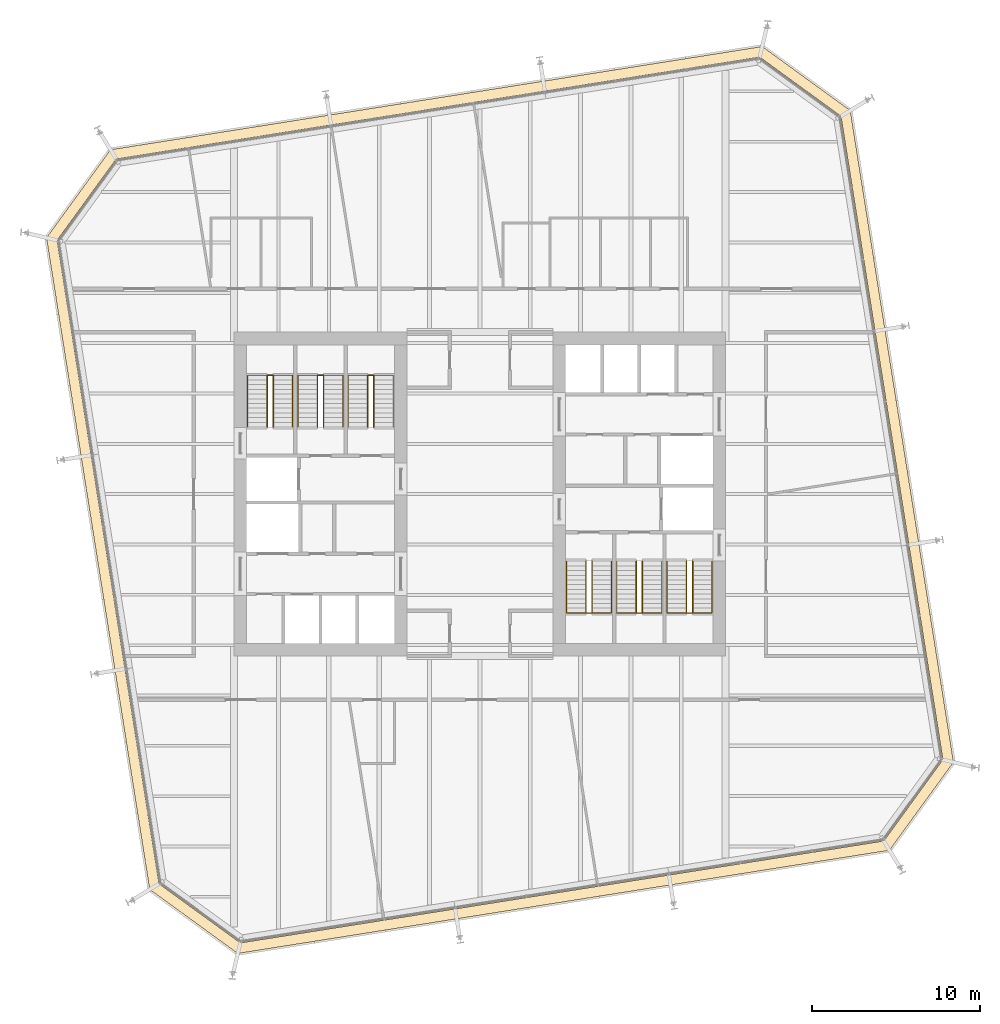
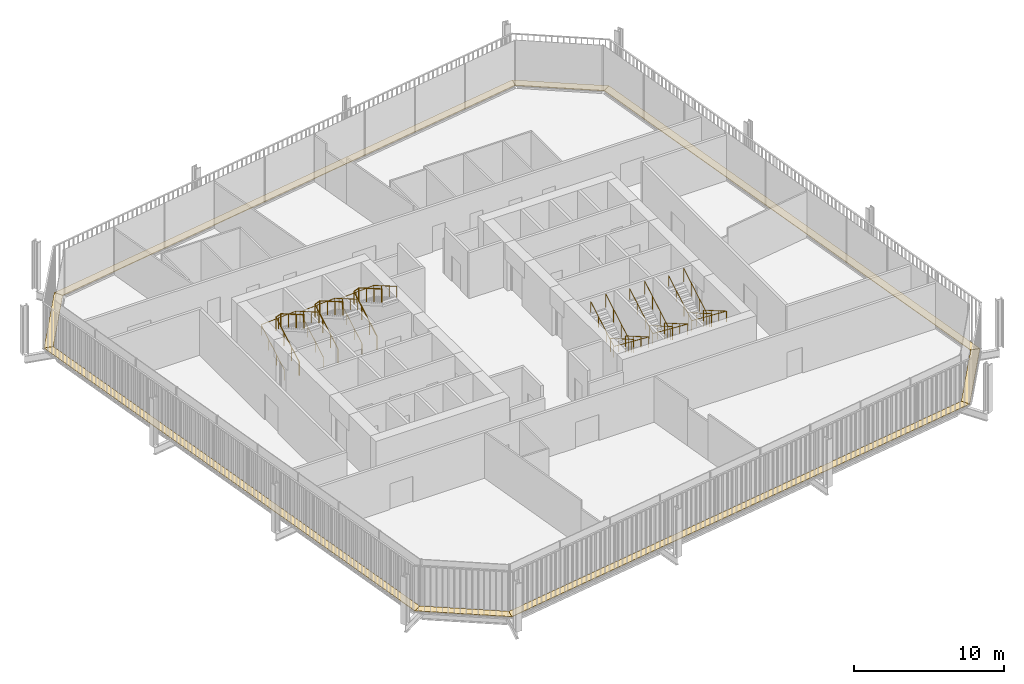
# One storey, part 21 of 21: 12 railings, 8 coverings.
"""IFC4 building model written with IfcOpenShell, lengths in metres."""

from ifc_helpers import new_model, si_unit, direction, frame, origin, origin_2d, place, context, subcontext, project, spatial, polyline, circle, outline, extrude, material, layer, layer_set, type_object, element, save


model = new_model("IFC4")

# Units and contexts
model_context = context("Model", 3, precision=1e-05, world=origin(), true_north=direction((0.0, 1.0)))
body_context = subcontext(model_context, "Body", "Model", "MODEL_VIEW")
ifc_project = project(units=[si_unit("LENGTHUNIT", "METRE"), si_unit("AREAUNIT", "SQUARE_METRE"), si_unit("VOLUMEUNIT", "CUBIC_METRE"), si_unit("PLANEANGLEUNIT", "RADIAN"), si_unit("MASSUNIT", "GRAM", prefix="KILO")], contexts=[model_context])

# Site, building, storey
site_placement = place(None, origin())
site = spatial("IfcSite", under=ifc_project, at=site_placement, CompositionType="ELEMENT")
building_placement = place(site_placement, origin())
building = spatial("IfcBuilding", under=site, at=building_placement, Name="Millrace Tower", CompositionType="ELEMENT")
storey_placement = place(building_placement, frame((0.0, 0.0, 183.89990234375)))
storey = spatial("IfcBuildingStorey", under=building, at=storey_placement, Name="L41", CompositionType="ELEMENT", Elevation=183.89990234375)

# Coverings
ifc_material_1 = material(Name="Steel ASTM A36", Category="steel")
ifc_layer = layer(ifc_material_1, 0.050048828125)
ifc_layer_set = layer_set([ifc_layer], Name="Steel ASTM A36")
covering_type = type_object("IfcCoveringType", Name="CAVITY CATWALK steel grating", PredefinedType="FLOORING", material=ifc_layer_set)
placement = place(storey_placement, frame((0.0, 0.0, 0.10009765625)))
element("IfcCovering", 1, at=placement, inside=storey, type_object=covering_type, Name="Cavity catwalk grating C-F01 L41 1", PredefinedType="FLOORING", context=body_context, shape_type="SweptSolid", body=[
    extrude(outline(polyline([(-19.67578125, -23.562255859375), (-14.425048828125, -27.376953125), (-14.2734375, -26.74560546875), (-19.1220703125, -23.222900390625), (-19.67578125, -23.562255859375)])), origin(), (0.0, 0.0, 1.0), 0.050048828125),
])
element("IfcCovering", 2, at=placement, inside=storey, type_object=covering_type, Name="Cavity catwalk grating C-F02 L41 1", PredefinedType="FLOORING", context=body_context, shape_type="SweptSolid", body=[
    extrude(outline(polyline([(-14.425048828125, -27.376953125), (24.412109375, -21.225830078125), (24.07275390625, -20.672119140625), (-14.2734375, -26.74560546875), (-14.425048828125, -27.376953125)])), origin(), (0.0, 0.0, 1.0), 0.050048828125),
])
element("IfcCovering", 3, at=placement, inside=storey, type_object=covering_type, Name="Cavity catwalk grating C-F03 L41 1", PredefinedType="FLOORING", context=body_context, shape_type="SweptSolid", body=[
    extrude(outline(polyline([(24.412109375, -21.225830078125), (28.22705078125, -15.97509765625), (27.595458984375, -15.823486328125), (24.07275390625, -20.672119140625), (24.412109375, -21.225830078125)])), origin(), (0.0, 0.0, 1.0), 0.050048828125),
])
element("IfcCovering", 4, at=placement, inside=storey, type_object=covering_type, Name="Cavity catwalk grating C-F04 L41 1", PredefinedType="FLOORING", context=body_context, shape_type="SweptSolid", body=[
    extrude(outline(polyline([(28.22705078125, -15.97509765625), (22.075927734375, 22.862060546875), (21.522216796875, 22.522705078125), (27.595458984375, -15.823486328125), (28.22705078125, -15.97509765625)])), origin(), (0.0, 0.0, 1.0), 0.050048828125),
])
element("IfcCovering", 5, at=placement, inside=storey, type_object=covering_type, Name="Cavity catwalk grating C-F05 L41 1", PredefinedType="FLOORING", context=body_context, shape_type="SweptSolid", body=[
    extrude(outline(polyline([(22.075927734375, 22.862060546875), (16.824951171875, 26.677001953125), (16.67333984375, 26.045654296875), (21.522216796875, 22.522705078125), (22.075927734375, 22.862060546875)])), origin(), (0.0, 0.0, 1.0), 0.050048828125),
])
element("IfcCovering", 6, at=placement, inside=storey, type_object=covering_type, Name="Cavity catwalk grating C-F06 L41 1", PredefinedType="FLOORING", context=body_context, shape_type="SweptSolid", body=[
    extrude(outline(polyline([(16.824951171875, 26.677001953125), (-22.01220703125, 20.52587890625), (-21.6728515625, 19.97216796875), (16.67333984375, 26.045654296875), (16.824951171875, 26.677001953125)])), origin(), (0.0, 0.0, 1.0), 0.050048828125),
])
element("IfcCovering", 7, at=placement, inside=storey, type_object=covering_type, Name="Cavity catwalk grating C-F07 L41 1", PredefinedType="FLOORING", context=body_context, shape_type="SweptSolid", body=[
    extrude(outline(polyline([(-22.01220703125, 20.52587890625), (-25.8271484375, 15.275146484375), (-25.195556640625, 15.12353515625), (-21.6728515625, 19.97216796875), (-22.01220703125, 20.52587890625)])), origin(), (0.0, 0.0, 1.0), 0.050048828125),
])
element("IfcCovering", 8, at=placement, inside=storey, type_object=covering_type, Name="Cavity catwalk grating C-F08 L41 1", PredefinedType="FLOORING", context=body_context, shape_type="SweptSolid", body=[
    extrude(outline(polyline([(-25.8271484375, 15.275146484375), (-19.67578125, -23.562255859375), (-19.1220703125, -23.222900390625), (-25.195556640625, 15.12353515625), (-25.8271484375, 15.275146484375)])), origin(), (0.0, 0.0, 1.0), 0.050048828125),
])

# Railings
ifc_material_2 = material(Name="Stainless steel ASTM A240 type 316", Category="steel")
railing_type_1 = type_object("IfcRailingType", Name="Stair guard 1100", PredefinedType="GUARDRAIL", material=ifc_material_2)
for number, where, name in (
    (9, (-12.679931640625, 4.0, 0.16259765625), "Stair guard 1 W L41"),
    (10, (-9.679931640625, 4.0, 0.16259765625), "Stair guard 2 W L41"),
    (11, (-6.679931640625, 4.0, 0.16259765625), "Stair guard 3 W L41"),
):
    element("IfcRailing", number, at=place(storey_placement, frame(where)), inside=storey, type_object=railing_type_1, Name=name, PredefinedType="GUARDRAIL", context=body_context, shape_type="SweptSolid", body=[
        extrude(circle(Radius=0.02392578125, at=origin_2d()), frame((0.0, 0.0, 1.076171875), z_axis=(0.0, 0.864890721111, 0.501960198159), x_axis=(-1.0, 0.0, 0.0)), (0.0, 0.0, 1.0), 3.561279296875),
        extrude(circle(Radius=0.02392578125, at=origin_2d()), frame((0.0, 3.080078125, 2.86376953125), z_axis=(0.91152767309, 0.0, 0.411238739895), x_axis=(0.0, 1.0, 0.0)), (0.0, 0.0, 1.0), 0.394775390625),
        extrude(circle(Radius=0.02392578125, at=origin_2d()), frame((0.35986328125, 3.080078125, 3.02587890625), z_axis=(0.0, -0.864890721111, 0.501960198159), x_axis=(1.0, 0.0, 0.0)), (0.0, 0.0, 1.0), 3.561279296875),
        extrude(circle(Radius=0.02099609375, at=origin_2d()), origin(), (0.0, 0.0, 1.0), 1.052001953125),
        extrude(circle(Radius=0.02099609375, at=origin_2d()), frame((0.0, 1.026611328125, 0.595947265625)), (0.0, 0.0, 1.0), 1.052001953125),
        extrude(circle(Radius=0.02099609375, at=origin_2d()), frame((0.0, 2.053466796875, 1.191650390625)), (0.0, 0.0, 1.0), 1.052001953125),
        extrude(circle(Radius=0.02099609375, at=origin_2d()), frame((0.0, 3.080078125, 1.78759765625)), (0.0, 0.0, 1.0), 1.052001953125),
        extrude(circle(Radius=0.02099609375, at=origin_2d()), frame((0.35986328125, 3.080078125, 1.949951171875)), (0.0, 0.0, 1.0), 1.052001953125),
        extrude(circle(Radius=0.02099609375, at=origin_2d()), frame((0.35986328125, 2.053466796875, 2.5458984375)), (0.0, 0.0, 1.0), 1.052001953125),
        extrude(circle(Radius=0.02099609375, at=origin_2d()), frame((0.35986328125, 1.026611328125, 3.1416015625)), (0.0, 0.0, 1.0), 1.052001953125),
        extrude(circle(Radius=0.02099609375, at=origin_2d()), frame((0.35986328125, 0.0, 3.737548828125)), (0.0, 0.0, 1.0), 1.052001953125),
    ])
for number, where, name in (
    (12, (12.679931640625, -4.0, 0.16259765625), "Stair guard 1 E L41"),
    (13, (9.679931640625, -4.0, 0.16259765625), "Stair guard 2 E L41"),
    (14, (6.679931640625, -4.0, 0.16259765625), "Stair guard 3 E L41"),
):
    element("IfcRailing", number, at=place(storey_placement, frame(where)), inside=storey, type_object=railing_type_1, Name=name, PredefinedType="GUARDRAIL", context=body_context, shape_type="SweptSolid", body=[
        extrude(circle(Radius=0.02392578125, at=origin_2d()), frame((0.0, 0.0, 1.076171875), z_axis=(0.0, -0.864890721111, 0.501960198159), x_axis=(1.0, 0.0, 0.0)), (0.0, 0.0, 1.0), 3.561279296875),
        extrude(circle(Radius=0.02392578125, at=origin_2d()), frame((0.0, -3.080078125, 2.86376953125), z_axis=(-0.91152767309, 0.0, 0.411238739895), x_axis=(0.0, -1.0, 0.0)), (0.0, 0.0, 1.0), 0.394775390625),
        extrude(circle(Radius=0.02392578125, at=origin_2d()), frame((-0.35986328125, -3.080078125, 3.02587890625), z_axis=(0.0, 0.864890721111, 0.501960198159), x_axis=(-1.0, 0.0, 0.0)), (0.0, 0.0, 1.0), 3.561279296875),
        extrude(circle(Radius=0.02099609375, at=origin_2d()), origin(), (0.0, 0.0, 1.0), 1.052001953125),
        extrude(circle(Radius=0.02099609375, at=origin_2d()), frame((0.0, -1.026611328125, 0.595947265625)), (0.0, 0.0, 1.0), 1.052001953125),
        extrude(circle(Radius=0.02099609375, at=origin_2d()), frame((0.0, -2.053466796875, 1.191650390625)), (0.0, 0.0, 1.0), 1.052001953125),
        extrude(circle(Radius=0.02099609375, at=origin_2d()), frame((0.0, -3.080078125, 1.78759765625)), (0.0, 0.0, 1.0), 1.052001953125),
        extrude(circle(Radius=0.02099609375, at=origin_2d()), frame((-0.35986328125, -3.080078125, 1.949951171875)), (0.0, 0.0, 1.0), 1.052001953125),
        extrude(circle(Radius=0.02099609375, at=origin_2d()), frame((-0.35986328125, -2.053466796875, 2.5458984375)), (0.0, 0.0, 1.0), 1.052001953125),
        extrude(circle(Radius=0.02099609375, at=origin_2d()), frame((-0.35986328125, -1.026611328125, 3.1416015625)), (0.0, 0.0, 1.0), 1.052001953125),
        extrude(circle(Radius=0.02099609375, at=origin_2d()), frame((-0.35986328125, 0.0, 3.737548828125)), (0.0, 0.0, 1.0), 1.052001953125),
    ])
ifc_material_3 = material(Name="Stainless steel ASTM A240 type 316", Category="steel")
railing_type_2 = type_object("IfcRailingType", Name="Stair handrail 900", PredefinedType="HANDRAIL", material=ifc_material_3)
railing_1_placement = place(storey_placement, frame((-13.840087890625, 4.0, 0.16259765625)))
element("IfcRailing", 15, at=railing_1_placement, inside=storey, type_object=railing_type_2, Name="Stair handrail 1 W L41", PredefinedType="HANDRAIL", context=body_context, shape_type="SweptSolid", body=[
    extrude(circle(Radius=0.02392578125, at=origin_2d()), frame((0.0, 0.0, 0.8759765625), z_axis=(0.0, 0.864890721111, 0.501960198159), x_axis=(-1.0, 0.0, 0.0)), (0.0, 0.0, 1.0), 3.561279296875),
    extrude(circle(Radius=0.02392578125, at=origin_2d()), frame((0.0, 3.080078125, 2.66357421875), z_axis=(0.998170326313, 0.0, 0.06046486309), x_axis=(0.0, 1.0, 0.0)), (0.0, 0.0, 1.0), 2.68505859375),
    extrude(circle(Radius=0.02392578125, at=origin_2d()), frame((2.68017578125, 3.080078125, 2.82568359375), z_axis=(0.0, -0.864890721111, 0.501960198159), x_axis=(1.0, 0.0, 0.0)), (0.0, 0.0, 1.0), 3.561279296875),
    extrude(circle(Radius=0.02099609375, at=origin_2d()), origin(), (0.0, 0.0, 1.0), 0.851806640625),
    extrude(circle(Radius=0.02099609375, at=origin_2d()), frame((0.0, 1.026611328125, 0.595947265625)), (0.0, 0.0, 1.0), 0.851806640625),
    extrude(circle(Radius=0.02099609375, at=origin_2d()), frame((0.0, 2.053466796875, 1.191650390625)), (0.0, 0.0, 1.0), 0.851806640625),
    extrude(circle(Radius=0.02099609375, at=origin_2d()), frame((0.0, 3.080078125, 1.78759765625)), (0.0, 0.0, 1.0), 0.851806640625),
    extrude(circle(Radius=0.02099609375, at=origin_2d()), frame((1.340087890625, 3.080078125, 1.86865234375)), (0.0, 0.0, 1.0), 0.851806640625),
    extrude(circle(Radius=0.02099609375, at=origin_2d()), frame((2.68017578125, 3.080078125, 1.949951171875)), (0.0, 0.0, 1.0), 0.851806640625),
    extrude(circle(Radius=0.02099609375, at=origin_2d()), frame((2.68017578125, 2.053466796875, 2.5458984375)), (0.0, 0.0, 1.0), 0.851806640625),
    extrude(circle(Radius=0.02099609375, at=origin_2d()), frame((2.68017578125, 1.026611328125, 3.1416015625)), (0.0, 0.0, 1.0), 0.851806640625),
    extrude(circle(Radius=0.02099609375, at=origin_2d()), frame((2.68017578125, 0.0, 3.737548828125)), (0.0, 0.0, 1.0), 0.851806640625),
])
railing_2_placement = place(storey_placement, frame((-10.840087890625, 4.0, 0.16259765625)))
element("IfcRailing", 16, at=railing_2_placement, inside=storey, type_object=railing_type_2, Name="Stair handrail 2 W L41", PredefinedType="HANDRAIL", context=body_context, shape_type="SweptSolid", body=[
    extrude(circle(Radius=0.02392578125, at=origin_2d()), frame((0.0, 0.0, 0.8759765625), z_axis=(0.0, 0.864890721111, 0.501960198159), x_axis=(-1.0, 0.0, 0.0)), (0.0, 0.0, 1.0), 3.561279296875),
    extrude(circle(Radius=0.02392578125, at=origin_2d()), frame((0.0, 3.080078125, 2.66357421875), z_axis=(0.998170326313, 0.0, 0.06046486309), x_axis=(0.0, 1.0, 0.0)), (0.0, 0.0, 1.0), 2.68505859375),
    extrude(circle(Radius=0.02392578125, at=origin_2d()), frame((2.68017578125, 3.080078125, 2.82568359375), z_axis=(0.0, -0.864890721111, 0.501960198159), x_axis=(1.0, 0.0, 0.0)), (0.0, 0.0, 1.0), 3.561279296875),
    extrude(circle(Radius=0.02099609375, at=origin_2d()), origin(), (0.0, 0.0, 1.0), 0.851806640625),
    extrude(circle(Radius=0.02099609375, at=origin_2d()), frame((0.0, 1.026611328125, 0.595947265625)), (0.0, 0.0, 1.0), 0.851806640625),
    extrude(circle(Radius=0.02099609375, at=origin_2d()), frame((0.0, 2.053466796875, 1.191650390625)), (0.0, 0.0, 1.0), 0.851806640625),
    extrude(circle(Radius=0.02099609375, at=origin_2d()), frame((0.0, 3.080078125, 1.78759765625)), (0.0, 0.0, 1.0), 0.851806640625),
    extrude(circle(Radius=0.02099609375, at=origin_2d()), frame((1.340087890625, 3.080078125, 1.86865234375)), (0.0, 0.0, 1.0), 0.851806640625),
    extrude(circle(Radius=0.02099609375, at=origin_2d()), frame((2.68017578125, 3.080078125, 1.949951171875)), (0.0, 0.0, 1.0), 0.851806640625),
    extrude(circle(Radius=0.02099609375, at=origin_2d()), frame((2.68017578125, 2.053466796875, 2.5458984375)), (0.0, 0.0, 1.0), 0.851806640625),
    extrude(circle(Radius=0.02099609375, at=origin_2d()), frame((2.68017578125, 1.026611328125, 3.1416015625)), (0.0, 0.0, 1.0), 0.851806640625),
    extrude(circle(Radius=0.02099609375, at=origin_2d()), frame((2.68017578125, 0.0, 3.737548828125)), (0.0, 0.0, 1.0), 0.851806640625),
])
railing_3_placement = place(storey_placement, frame((-7.840087890625, 4.0, 0.16259765625)))
element("IfcRailing", 17, at=railing_3_placement, inside=storey, type_object=railing_type_2, Name="Stair handrail 3 W L41", PredefinedType="HANDRAIL", context=body_context, shape_type="SweptSolid", body=[
    extrude(circle(Radius=0.02392578125, at=origin_2d()), frame((0.0, 0.0, 0.8759765625), z_axis=(0.0, 0.864890721111, 0.501960198159), x_axis=(-1.0, 0.0, 0.0)), (0.0, 0.0, 1.0), 3.561279296875),
    extrude(circle(Radius=0.02392578125, at=origin_2d()), frame((0.0, 3.080078125, 2.66357421875), z_axis=(0.998170326313, 0.0, 0.06046486309), x_axis=(0.0, 1.0, 0.0)), (0.0, 0.0, 1.0), 2.68505859375),
    extrude(circle(Radius=0.02392578125, at=origin_2d()), frame((2.68017578125, 3.080078125, 2.82568359375), z_axis=(0.0, -0.864890721111, 0.501960198159), x_axis=(1.0, 0.0, 0.0)), (0.0, 0.0, 1.0), 3.561279296875),
    extrude(circle(Radius=0.02099609375, at=origin_2d()), origin(), (0.0, 0.0, 1.0), 0.851806640625),
    extrude(circle(Radius=0.02099609375, at=origin_2d()), frame((0.0, 1.026611328125, 0.595947265625)), (0.0, 0.0, 1.0), 0.851806640625),
    extrude(circle(Radius=0.02099609375, at=origin_2d()), frame((0.0, 2.053466796875, 1.191650390625)), (0.0, 0.0, 1.0), 0.851806640625),
    extrude(circle(Radius=0.02099609375, at=origin_2d()), frame((0.0, 3.080078125, 1.78759765625)), (0.0, 0.0, 1.0), 0.851806640625),
    extrude(circle(Radius=0.02099609375, at=origin_2d()), frame((1.340087890625, 3.080078125, 1.86865234375)), (0.0, 0.0, 1.0), 0.851806640625),
    extrude(circle(Radius=0.02099609375, at=origin_2d()), frame((2.68017578125, 3.080078125, 1.949951171875)), (0.0, 0.0, 1.0), 0.851806640625),
    extrude(circle(Radius=0.02099609375, at=origin_2d()), frame((2.68017578125, 2.053466796875, 2.5458984375)), (0.0, 0.0, 1.0), 0.851806640625),
    extrude(circle(Radius=0.02099609375, at=origin_2d()), frame((2.68017578125, 1.026611328125, 3.1416015625)), (0.0, 0.0, 1.0), 0.851806640625),
    extrude(circle(Radius=0.02099609375, at=origin_2d()), frame((2.68017578125, 0.0, 3.737548828125)), (0.0, 0.0, 1.0), 0.851806640625),
])
railing_4_placement = place(storey_placement, frame((13.840087890625, -4.0, 0.16259765625)))
element("IfcRailing", 18, at=railing_4_placement, inside=storey, type_object=railing_type_2, Name="Stair handrail 1 E L41", PredefinedType="HANDRAIL", context=body_context, shape_type="SweptSolid", body=[
    extrude(circle(Radius=0.02392578125, at=origin_2d()), frame((0.0, 0.0, 0.8759765625), z_axis=(0.0, -0.864890721111, 0.501960198159), x_axis=(1.0, 0.0, 0.0)), (0.0, 0.0, 1.0), 3.561279296875),
    extrude(circle(Radius=0.02392578125, at=origin_2d()), frame((0.0, -3.080078125, 2.66357421875), z_axis=(-0.998170326313, 0.0, 0.06046486309), x_axis=(0.0, -1.0, 0.0)), (0.0, 0.0, 1.0), 2.68505859375),
    extrude(circle(Radius=0.02392578125, at=origin_2d()), frame((-2.68017578125, -3.080078125, 2.82568359375), z_axis=(0.0, 0.864890721111, 0.501960198159), x_axis=(-1.0, 0.0, 0.0)), (0.0, 0.0, 1.0), 3.561279296875),
    extrude(circle(Radius=0.02099609375, at=origin_2d()), origin(), (0.0, 0.0, 1.0), 0.851806640625),
    extrude(circle(Radius=0.02099609375, at=origin_2d()), frame((0.0, -1.026611328125, 0.595947265625)), (0.0, 0.0, 1.0), 0.851806640625),
    extrude(circle(Radius=0.02099609375, at=origin_2d()), frame((0.0, -2.053466796875, 1.191650390625)), (0.0, 0.0, 1.0), 0.851806640625),
    extrude(circle(Radius=0.02099609375, at=origin_2d()), frame((0.0, -3.080078125, 1.78759765625)), (0.0, 0.0, 1.0), 0.851806640625),
    extrude(circle(Radius=0.02099609375, at=origin_2d()), frame((-1.340087890625, -3.080078125, 1.86865234375)), (0.0, 0.0, 1.0), 0.851806640625),
    extrude(circle(Radius=0.02099609375, at=origin_2d()), frame((-2.68017578125, -3.080078125, 1.949951171875)), (0.0, 0.0, 1.0), 0.851806640625),
    extrude(circle(Radius=0.02099609375, at=origin_2d()), frame((-2.68017578125, -2.053466796875, 2.5458984375)), (0.0, 0.0, 1.0), 0.851806640625),
    extrude(circle(Radius=0.02099609375, at=origin_2d()), frame((-2.68017578125, -1.026611328125, 3.1416015625)), (0.0, 0.0, 1.0), 0.851806640625),
    extrude(circle(Radius=0.02099609375, at=origin_2d()), frame((-2.68017578125, 0.0, 3.737548828125)), (0.0, 0.0, 1.0), 0.851806640625),
])
railing_5_placement = place(storey_placement, frame((10.840087890625, -4.0, 0.16259765625)))
element("IfcRailing", 19, at=railing_5_placement, inside=storey, type_object=railing_type_2, Name="Stair handrail 2 E L41", PredefinedType="HANDRAIL", context=body_context, shape_type="SweptSolid", body=[
    extrude(circle(Radius=0.02392578125, at=origin_2d()), frame((0.0, 0.0, 0.8759765625), z_axis=(0.0, -0.864890721111, 0.501960198159), x_axis=(1.0, 0.0, 0.0)), (0.0, 0.0, 1.0), 3.561279296875),
    extrude(circle(Radius=0.02392578125, at=origin_2d()), frame((0.0, -3.080078125, 2.66357421875), z_axis=(-0.998170326313, 0.0, 0.06046486309), x_axis=(0.0, -1.0, 0.0)), (0.0, 0.0, 1.0), 2.68505859375),
    extrude(circle(Radius=0.02392578125, at=origin_2d()), frame((-2.68017578125, -3.080078125, 2.82568359375), z_axis=(0.0, 0.864890721111, 0.501960198159), x_axis=(-1.0, 0.0, 0.0)), (0.0, 0.0, 1.0), 3.561279296875),
    extrude(circle(Radius=0.02099609375, at=origin_2d()), origin(), (0.0, 0.0, 1.0), 0.851806640625),
    extrude(circle(Radius=0.02099609375, at=origin_2d()), frame((0.0, -1.026611328125, 0.595947265625)), (0.0, 0.0, 1.0), 0.851806640625),
    extrude(circle(Radius=0.02099609375, at=origin_2d()), frame((0.0, -2.053466796875, 1.191650390625)), (0.0, 0.0, 1.0), 0.851806640625),
    extrude(circle(Radius=0.02099609375, at=origin_2d()), frame((0.0, -3.080078125, 1.78759765625)), (0.0, 0.0, 1.0), 0.851806640625),
    extrude(circle(Radius=0.02099609375, at=origin_2d()), frame((-1.340087890625, -3.080078125, 1.86865234375)), (0.0, 0.0, 1.0), 0.851806640625),
    extrude(circle(Radius=0.02099609375, at=origin_2d()), frame((-2.68017578125, -3.080078125, 1.949951171875)), (0.0, 0.0, 1.0), 0.851806640625),
    extrude(circle(Radius=0.02099609375, at=origin_2d()), frame((-2.68017578125, -2.053466796875, 2.5458984375)), (0.0, 0.0, 1.0), 0.851806640625),
    extrude(circle(Radius=0.02099609375, at=origin_2d()), frame((-2.68017578125, -1.026611328125, 3.1416015625)), (0.0, 0.0, 1.0), 0.851806640625),
    extrude(circle(Radius=0.02099609375, at=origin_2d()), frame((-2.68017578125, 0.0, 3.737548828125)), (0.0, 0.0, 1.0), 0.851806640625),
])
railing_6_placement = place(storey_placement, frame((7.840087890625, -4.0, 0.16259765625)))
element("IfcRailing", 20, at=railing_6_placement, inside=storey, type_object=railing_type_2, Name="Stair handrail 3 E L41", PredefinedType="HANDRAIL", context=body_context, shape_type="SweptSolid", body=[
    extrude(circle(Radius=0.02392578125, at=origin_2d()), frame((0.0, 0.0, 0.8759765625), z_axis=(0.0, -0.864890721111, 0.501960198159), x_axis=(1.0, 0.0, 0.0)), (0.0, 0.0, 1.0), 3.561279296875),
    extrude(circle(Radius=0.02392578125, at=origin_2d()), frame((0.0, -3.080078125, 2.66357421875), z_axis=(-0.998170326313, 0.0, 0.06046486309), x_axis=(0.0, -1.0, 0.0)), (0.0, 0.0, 1.0), 2.68505859375),
    extrude(circle(Radius=0.02392578125, at=origin_2d()), frame((-2.68017578125, -3.080078125, 2.82568359375), z_axis=(0.0, 0.864890721111, 0.501960198159), x_axis=(-1.0, 0.0, 0.0)), (0.0, 0.0, 1.0), 3.561279296875),
    extrude(circle(Radius=0.02099609375, at=origin_2d()), origin(), (0.0, 0.0, 1.0), 0.851806640625),
    extrude(circle(Radius=0.02099609375, at=origin_2d()), frame((0.0, -1.026611328125, 0.595947265625)), (0.0, 0.0, 1.0), 0.851806640625),
    extrude(circle(Radius=0.02099609375, at=origin_2d()), frame((0.0, -2.053466796875, 1.191650390625)), (0.0, 0.0, 1.0), 0.851806640625),
    extrude(circle(Radius=0.02099609375, at=origin_2d()), frame((0.0, -3.080078125, 1.78759765625)), (0.0, 0.0, 1.0), 0.851806640625),
    extrude(circle(Radius=0.02099609375, at=origin_2d()), frame((-1.340087890625, -3.080078125, 1.86865234375)), (0.0, 0.0, 1.0), 0.851806640625),
    extrude(circle(Radius=0.02099609375, at=origin_2d()), frame((-2.68017578125, -3.080078125, 1.949951171875)), (0.0, 0.0, 1.0), 0.851806640625),
    extrude(circle(Radius=0.02099609375, at=origin_2d()), frame((-2.68017578125, -2.053466796875, 2.5458984375)), (0.0, 0.0, 1.0), 0.851806640625),
    extrude(circle(Radius=0.02099609375, at=origin_2d()), frame((-2.68017578125, -1.026611328125, 3.1416015625)), (0.0, 0.0, 1.0), 0.851806640625),
    extrude(circle(Radius=0.02099609375, at=origin_2d()), frame((-2.68017578125, 0.0, 3.737548828125)), (0.0, 0.0, 1.0), 0.851806640625),
])

save(model, "model.ifc")
